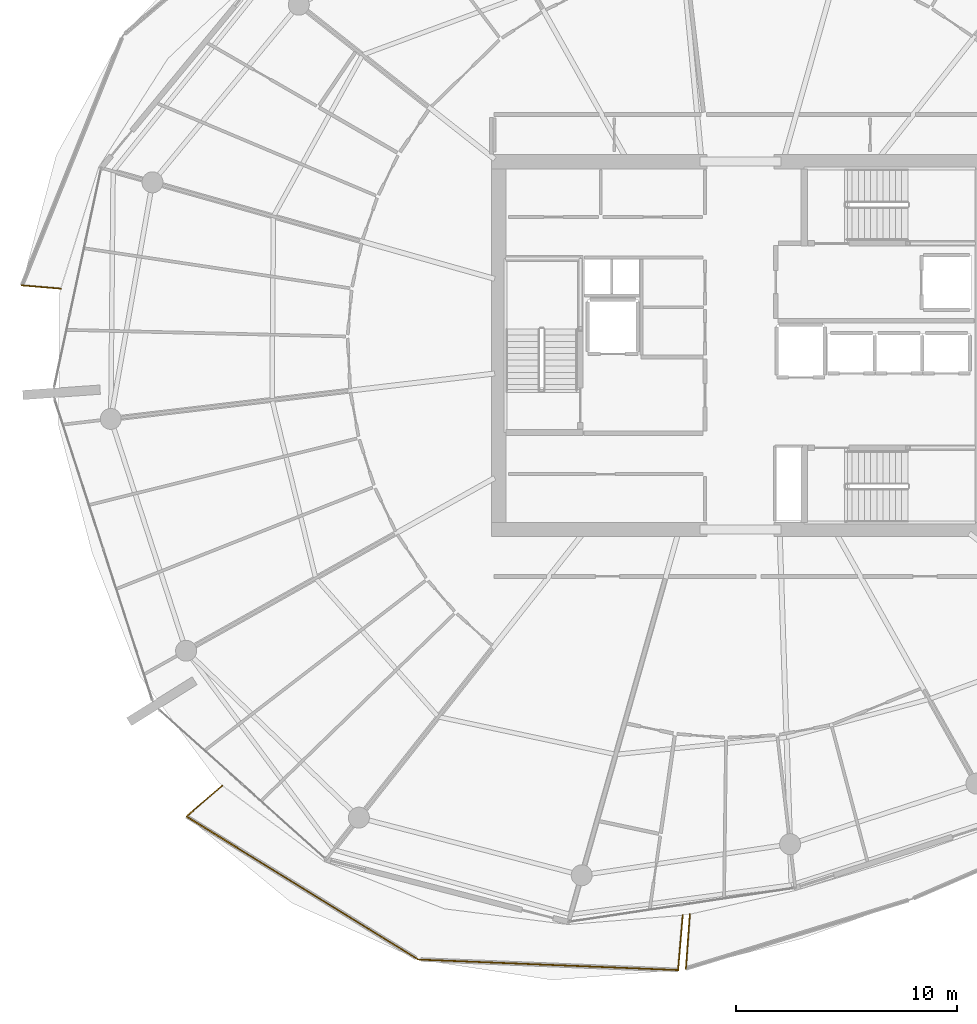
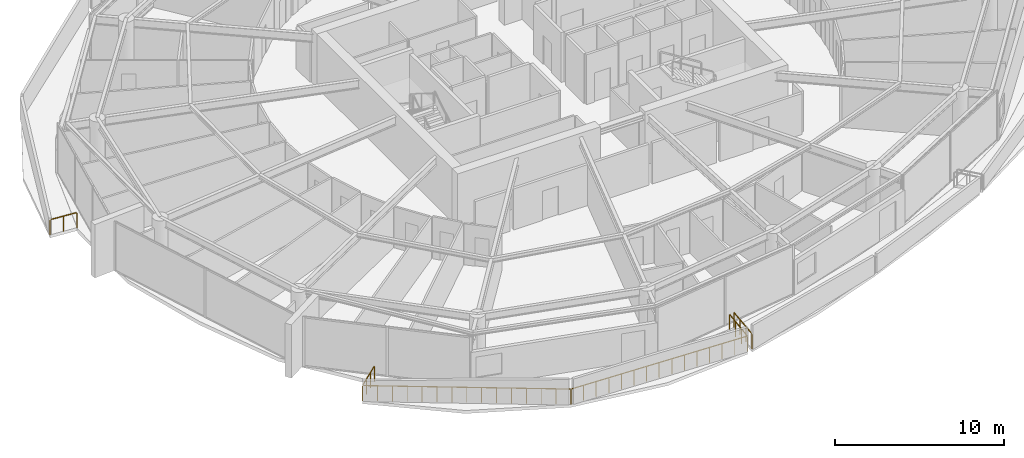
# One storey, part 25 of 31: 6 railings.
"""IFC4 building model written with IfcOpenShell, lengths in metres."""

import ifcopenshell
import ifcopenshell.guid

model = None  # the IFC model being written
_history = None  # IfcOwnerHistory: only IFC2X3 demands one
_inside = {}  # id of a spatial element -> (the spatial element, [elements in it])
_under = {}  # id of a project, library or spatial element -> (it, [spatial elements below it])
_declared = {}  # id of a project -> (the project, [libraries it declares])
_typed = {}  # id of a type object -> (the type object, [elements of that type])
_made_of = {}  # id of a material, layer set ... -> (it, [elements and type objects made of it])


def new_model(schema):
    """Start an empty IFC model of exactly this schema.

    Asked for "IFC4X3", IfcOpenShell would pick the latest addendum, in which some entities
    have other attributes; the version numbers below select the first issue.
    IFC2X3 requires an IfcOwnerHistory on every rooted entity: one is made here for all.
    """
    global model, _history
    if schema == "IFC4X3":
        model = ifcopenshell.file(schema_version=(4, 3, 0, 0))
    else:
        model = ifcopenshell.file(schema=schema)
    _inside.clear()
    _under.clear()
    _declared.clear()
    _typed.clear()
    _made_of.clear()
    _history = None
    if model.schema == "IFC2X3":
        org = make("IfcOrganization", Name="unknown")
        user = make(
            "IfcPersonAndOrganization",
            ThePerson=make("IfcPerson", FamilyName="unknown"),
            TheOrganization=org,
        )
        app = make(
            "IfcApplication",
            ApplicationDeveloper=org,
            Version="unknown",
            ApplicationFullName="unknown",
            ApplicationIdentifier="unknown",
        )
        _history = make(
            "IfcOwnerHistory",
            OwningUser=user,
            OwningApplication=app,
            ChangeAction="ADDED",
            CreationDate=0,
        )
    return model


def make(cls, **values):
    """One entity of the class cls with the attributes given. An attribute that is None is left unset."""
    return model.create_entity(
        cls, **{name: value for name, value in values.items() if value is not None}
    )


def rooted(cls, **values):
    """An entity with a GlobalId (a new one), such as an element, a storey or a relation."""
    return make(cls, GlobalId=ifcopenshell.guid.new(), OwnerHistory=_history, **values)


def si_unit(unit_type, name, prefix=None):
    """IfcSIUnit, for example si_unit("LENGTHUNIT", "METRE", prefix="MILLI")."""
    return make("IfcSIUnit", UnitType=unit_type, Prefix=prefix, Name=name)


def assignment(units):
    """IfcUnitAssignment: the units of a project."""
    return None if units is None else make("IfcUnitAssignment", Units=units)


def point(xyz):
    """IfcCartesianPoint."""
    return None if xyz is None else make("IfcCartesianPoint", Coordinates=xyz)


def direction(xyz):
    """IfcDirection."""
    return None if xyz is None else make("IfcDirection", DirectionRatios=xyz)


def frame(location, z_axis=None, x_axis=None):
    """IfcAxis2Placement3D, a coordinate frame: its origin and axes. An axis left out is left unset."""
    return make(
        "IfcAxis2Placement3D",
        Location=point(location),
        Axis=direction(z_axis),
        RefDirection=direction(x_axis),
    )


def frame_2d(location, x_axis=None):
    """IfcAxis2Placement2D, a coordinate frame in the plane: its origin and x axis."""
    return make(
        "IfcAxis2Placement2D", Location=point(location), RefDirection=direction(x_axis)
    )


def origin():
    """The frame at (0, 0, 0) with its axes left unset."""
    return frame((0.0, 0.0, 0.0))


def origin_2d():
    """The frame at (0, 0) in the plane with its x axis left unset."""
    return frame_2d((0.0, 0.0))


def place(relative_to, where):
    """IfcLocalPlacement: puts the frame where relative to a parent placement (None: the world)."""
    return make(
        "IfcLocalPlacement", PlacementRelTo=relative_to, RelativePlacement=where
    )


def context(
    kind, dimensions, precision=None, world=None, true_north=None, identifier=None
):
    """IfcGeometricRepresentationContext, for example the 3D "Model" context."""
    return make(
        "IfcGeometricRepresentationContext",
        ContextIdentifier=identifier,
        ContextType=kind,
        CoordinateSpaceDimension=dimensions,
        Precision=precision,
        WorldCoordinateSystem=world,
        TrueNorth=true_north,
    )


def subcontext(parent, identifier, kind, view, scale=None):
    """IfcGeometricRepresentationSubContext, for example "Body" below "Model"."""
    return make(
        "IfcGeometricRepresentationSubContext",
        ContextIdentifier=identifier,
        ContextType=kind,
        ParentContext=parent,
        TargetScale=scale,
        TargetView=view,
    )


def project(units=None, contexts=None):
    """IfcProject with its units and contexts."""
    return rooted(
        "IfcProject",
        Name="project",
        RepresentationContexts=contexts,
        UnitsInContext=assignment(units),
    )


def spatial(cls, under=None, at=None, **own):
    """A site, building, storey or space (cls), placed at a placement, below another one or the project."""
    s = rooted(cls, ObjectPlacement=at, **own)
    if under is not None:
        _under.setdefault(under.id(), (under, []))[1].append(s)
    return s


def profile(cls, at=None, kind="AREA", **sizes):
    """A parametric profile (cls). Its sizes go by their IFC names, for example OverallWidth=200.0."""
    return make(cls, ProfileType=kind, Position=at, **sizes)


def rectangle(**sizes):
    """IfcRectangleProfileDef."""
    return profile("IfcRectangleProfileDef", **sizes)


def extrude(swept, where, along, depth):
    """IfcExtrudedAreaSolid: the profile swept, set in the frame where, extruded along a direction by depth."""
    return make(
        "IfcExtrudedAreaSolid",
        SweptArea=swept,
        Position=where,
        ExtrudedDirection=direction(along),
        Depth=depth,
    )


def shape(context_of_items, identifier, shape_type, items):
    """IfcShapeRepresentation: the items that make up one representation, for example the "Body"."""
    return make(
        "IfcShapeRepresentation",
        ContextOfItems=context_of_items,
        RepresentationIdentifier=identifier,
        RepresentationType=shape_type,
        Items=items,
    )


def material(Name=None, Category=None):
    """IfcMaterial."""
    return make("IfcMaterial", Name=Name, Category=Category)


def made_of(thing, what):
    """Note that an element or type object is made of a material, layer set ...; save() writes the relation."""
    if what is not None:
        _made_of.setdefault(what.id(), (what, []))[1].append(thing)
    return thing


def type_object(cls, material=None, **own):
    """A type object (cls), such as IfcWallType, which elements share."""
    return made_of(rooted(cls, **own), material)


def element(
    cls,
    number,
    at=None,
    inside=None,
    cuts=None,
    type_object=None,
    material=None,
    context=None,
    identifier="Body",
    shape_type=None,
    held_by="IfcProductDefinitionShape",
    body=None,
    shapes=None,
    **own,
):
    """One element of the class cls, such as IfcWall. Its Tag is "e" and its number.

    at: its placement. inside: the storey or other place that contains it. cuts: it is an
    opening in that element (IfcRelVoidsElement). A single representation is given by context,
    identifier, shape_type and body (its items); several are given by shapes. held_by: the class
    of the entity that holds the representations. save() writes the other relations.
    """
    e = rooted(cls, Tag="e%d" % number, ObjectPlacement=at, **own)
    if body is not None:
        shapes = [shape(context, identifier, shape_type, body)]
    if shapes is not None:
        e.Representation = make(held_by, Representations=shapes)
    if inside is not None:
        _inside.setdefault(inside.id(), (inside, []))[1].append(e)
    if cuts is not None:
        rooted(
            "IfcRelVoidsElement", RelatingBuildingElement=cuts, RelatedOpeningElement=e
        )
    if type_object is not None:
        _typed.setdefault(type_object.id(), (type_object, []))[1].append(e)
    return made_of(e, material)


def aggregate(whole, parts):
    """IfcRelAggregates: a whole, such as a stair, and the parts it consists of."""
    return rooted("IfcRelAggregates", RelatingObject=whole, RelatedObjects=parts)


def save(model, path):
    """Write the relations noted so far, then the file.

    IfcRelAggregates (storeys below a building ...), IfcRelContainedInSpatialStructure (elements
    in a storey), IfcRelDefinesByType, IfcRelAssociatesMaterial and IfcRelDeclares: one each for
    every whole, place, type object, material and project.
    """
    for whole, parts in _under.values():
        aggregate(whole, parts)
    for where, things in _inside.values():
        rooted(
            "IfcRelContainedInSpatialStructure",
            RelatedElements=things,
            RelatingStructure=where,
        )
    for kind, things in _typed.values():
        rooted("IfcRelDefinesByType", RelatedObjects=things, RelatingType=kind)
    for what, things in _made_of.values():
        rooted("IfcRelAssociatesMaterial", RelatedObjects=things, RelatingMaterial=what)
    for by, libraries in _declared.values():
        rooted("IfcRelDeclares", RelatingContext=by, RelatedDefinitions=libraries)
    model.write(path)


model = new_model("IFC4")

# Units and contexts
model_context = context("Model", 3, precision=1e-05, world=origin(), true_north=direction((0.0, 1.0)))
body_context = subcontext(model_context, "Body", "Model", "MODEL_VIEW")
ifc_project = project(units=[si_unit("LENGTHUNIT", "METRE"), si_unit("AREAUNIT", "SQUARE_METRE"), si_unit("VOLUMEUNIT", "CUBIC_METRE"), si_unit("PLANEANGLEUNIT", "RADIAN"), si_unit("MASSUNIT", "GRAM", prefix="KILO")], contexts=[model_context])

# Site, building, storey
site_placement = place(None, origin())
site = spatial("IfcSite", under=ifc_project, at=site_placement, CompositionType="ELEMENT")
building_placement = place(site_placement, origin())
building = spatial("IfcBuilding", under=site, at=building_placement, Name="Kazma Halo Residences", CompositionType="ELEMENT")
storey_placement = place(building_placement, frame((0.0, 0.0, 271.35009765625)))
storey = spatial("IfcBuildingStorey", under=building, at=storey_placement, Name="L68", CompositionType="ELEMENT", Elevation=271.35009765625)

# Railings
ifc_material = material(Name="Aluminium AW-6063 T6 Brushed Cap Rail", Category="aluminium")
railing_type = type_object("IfcRailingType", Name="RLG-BAL-CAP-1120", PredefinedType="BALUSTRADE", material=ifc_material)
railing_1_placement = place(storey_placement, frame((15.89599609375, 44.72412109375, 0.0)))
element("IfcRailing", 1, at=railing_1_placement, inside=storey, type_object=railing_type, Name="L68 NW wave balcony guard 4", PredefinedType="BALUSTRADE", context=body_context, shape_type="SweptSolid", body=[
    extrude(rectangle(XDim=0.050048828125, YDim=0.050048828125, at=origin_2d()), frame((0.04248046875, -0.003662109375, 1.09521484375), z_axis=(0.996414445327, -0.084606460419, 0.0), x_axis=(0.084606460419, 0.996414445327, 0.0)), (0.0, 0.0, 1.0), 1.675048828125),
    extrude(rectangle(XDim=0.0400390625, YDim=0.0400390625, at=origin_2d()), origin(), (0.0, 0.0, 1.0), 1.05810546875),
    extrude(rectangle(XDim=0.0400390625, YDim=0.0400390625, at=origin_2d()), frame((0.876953125, -0.074462890625, 0.0)), (0.0, 0.0, 1.0), 1.05810546875),
    extrude(rectangle(XDim=0.0400390625, YDim=0.0400390625, at=origin_2d()), frame((1.75390625, -0.14892578125, 0.0)), (0.0, 0.0, 1.0), 1.05810546875),
])
railing_2_placement = place(storey_placement, frame((24.9599609375, 22.0771484375, 0.0)))
element("IfcRailing", 2, at=railing_2_placement, inside=storey, type_object=railing_type, Name="L68 SW wave balcony guard 1", PredefinedType="BALUSTRADE", context=body_context, shape_type="SweptSolid", body=[
    extrude(rectangle(XDim=0.050048828125, YDim=0.050048828125, at=origin_2d()), frame((-0.0322265625, -0.02783203125, 1.09521484375), z_axis=(-0.756418334569, -0.654088146299, 0.0), x_axis=(0.654088146299, -0.756418334569, 0.0)), (0.0, 0.0, 1.0), 2.04541015625),
    extrude(rectangle(XDim=0.0400390625, YDim=0.0400390625, at=origin_2d()), origin(), (0.0, 0.0, 1.0), 1.05810546875),
    extrude(rectangle(XDim=0.0400390625, YDim=0.0400390625, at=origin_2d()), frame((-0.537109375, -0.464599609375, 0.0)), (0.0, 0.0, 1.0), 1.05810546875),
    extrude(rectangle(XDim=0.0400390625, YDim=0.0400390625, at=origin_2d()), frame((-1.074462890625, -0.928955078125, 0.0)), (0.0, 0.0, 1.0), 1.05810546875),
    extrude(rectangle(XDim=0.0400390625, YDim=0.0400390625, at=origin_2d()), frame((-1.611572265625, -1.3935546875, 0.0)), (0.0, 0.0, 1.0), 1.05810546875),
])
railing_3_placement = place(storey_placement, frame((23.348388671875, 20.68359375, 0.0)))
element("IfcRailing", 3, at=railing_3_placement, inside=storey, type_object=railing_type, Name="L68 SW wave balcony guard 2", PredefinedType="BALUSTRADE", context=body_context, shape_type="SweptSolid", body=[
    extrude(rectangle(XDim=0.050048828125, YDim=0.050048828125, at=origin_2d()), frame((0.0361328125, -0.0224609375, 1.09521484375), z_axis=(0.85090135907, -0.525325496367, 0.0), x_axis=(0.525325496367, 0.85090135907, 0.0)), (0.0, 0.0, 1.0), 12.24365234375),
    extrude(rectangle(XDim=0.0400390625, YDim=0.0400390625, at=origin_2d()), origin(), (0.0, 0.0, 1.0), 1.05810546875),
    extrude(rectangle(XDim=0.0400390625, YDim=0.0400390625, at=origin_2d()), frame((0.749267578125, -0.462646484375, 0.0)), (0.0, 0.0, 1.0), 1.05810546875),
    extrude(rectangle(XDim=0.0400390625, YDim=0.0400390625, at=origin_2d()), frame((1.49853515625, -0.92529296875, 0.0)), (0.0, 0.0, 1.0), 1.05810546875),
    extrude(rectangle(XDim=0.0400390625, YDim=0.0400390625, at=origin_2d()), frame((2.248046875, -1.387939453125, 0.0)), (0.0, 0.0, 1.0), 1.05810546875),
    extrude(rectangle(XDim=0.0400390625, YDim=0.0400390625, at=origin_2d()), frame((2.997314453125, -1.850341796875, 0.0)), (0.0, 0.0, 1.0), 1.05810546875),
    extrude(rectangle(XDim=0.0400390625, YDim=0.0400390625, at=origin_2d()), frame((3.74658203125, -2.31298828125, 0.0)), (0.0, 0.0, 1.0), 1.05810546875),
    extrude(rectangle(XDim=0.0400390625, YDim=0.0400390625, at=origin_2d()), frame((4.495849609375, -2.775634765625, 0.0)), (0.0, 0.0, 1.0), 1.05810546875),
    extrude(rectangle(XDim=0.0400390625, YDim=0.0400390625, at=origin_2d()), frame((5.2451171875, -3.23828125, 0.0)), (0.0, 0.0, 1.0), 1.05810546875),
    extrude(rectangle(XDim=0.0400390625, YDim=0.0400390625, at=origin_2d()), frame((5.99462890625, -3.700927734375, 0.0)), (0.0, 0.0, 1.0), 1.05810546875),
    extrude(rectangle(XDim=0.0400390625, YDim=0.0400390625, at=origin_2d()), frame((6.743896484375, -4.16357421875, 0.0)), (0.0, 0.0, 1.0), 1.05810546875),
    extrude(rectangle(XDim=0.0400390625, YDim=0.0400390625, at=origin_2d()), frame((7.4931640625, -4.626220703125, 0.0)), (0.0, 0.0, 1.0), 1.05810546875),
    extrude(rectangle(XDim=0.0400390625, YDim=0.0400390625, at=origin_2d()), frame((8.242431640625, -5.088623046875, 0.0)), (0.0, 0.0, 1.0), 1.05810546875),
    extrude(rectangle(XDim=0.0400390625, YDim=0.0400390625, at=origin_2d()), frame((8.991943359375, -5.55126953125, 0.0)), (0.0, 0.0, 1.0), 1.05810546875),
    extrude(rectangle(XDim=0.0400390625, YDim=0.0400390625, at=origin_2d()), frame((9.7412109375, -6.013916015625, 0.0)), (0.0, 0.0, 1.0), 1.05810546875),
    extrude(rectangle(XDim=0.0400390625, YDim=0.0400390625, at=origin_2d()), frame((10.490478515625, -6.4765625, 0.0)), (0.0, 0.0, 1.0), 1.05810546875),
])
railing_4_placement = place(storey_placement, frame((33.8388671875, 14.20703125, 0.0)))
element("IfcRailing", 4, at=railing_4_placement, inside=storey, type_object=railing_type, Name="L68 SW wave balcony guard 3", PredefinedType="BALUSTRADE", context=body_context, shape_type="SweptSolid", body=[
    extrude(rectangle(XDim=0.050048828125, YDim=0.050048828125, at=origin_2d()), frame((0.04248046875, -0.001708984375, 1.09521484375), z_axis=(0.999178574478, -0.04052377456, 0.0), x_axis=(0.04052377456, 0.999178574478, 0.0)), (0.0, 0.0, 1.0), 11.68701171875),
    extrude(rectangle(XDim=0.0400390625, YDim=0.0400390625, at=origin_2d()), origin(), (0.0, 0.0, 1.0), 1.05810546875),
    extrude(rectangle(XDim=0.0400390625, YDim=0.0400390625, at=origin_2d()), frame((0.840087890625, -0.0341796875, 0.0)), (0.0, 0.0, 1.0), 1.05810546875),
    extrude(rectangle(XDim=0.0400390625, YDim=0.0400390625, at=origin_2d()), frame((1.680419921875, -0.068115234375, 0.0)), (0.0, 0.0, 1.0), 1.05810546875),
    extrude(rectangle(XDim=0.0400390625, YDim=0.0400390625, at=origin_2d()), frame((2.5205078125, -0.102294921875, 0.0)), (0.0, 0.0, 1.0), 1.05810546875),
    extrude(rectangle(XDim=0.0400390625, YDim=0.0400390625, at=origin_2d()), frame((3.360595703125, -0.13623046875, 0.0)), (0.0, 0.0, 1.0), 1.05810546875),
    extrude(rectangle(XDim=0.0400390625, YDim=0.0400390625, at=origin_2d()), frame((4.200927734375, -0.17041015625, 0.0)), (0.0, 0.0, 1.0), 1.05810546875),
    extrude(rectangle(XDim=0.0400390625, YDim=0.0400390625, at=origin_2d()), frame((5.041015625, -0.204345703125, 0.0)), (0.0, 0.0, 1.0), 1.05810546875),
    extrude(rectangle(XDim=0.0400390625, YDim=0.0400390625, at=origin_2d()), frame((5.88134765625, -0.238525390625, 0.0)), (0.0, 0.0, 1.0), 1.05810546875),
    extrude(rectangle(XDim=0.0400390625, YDim=0.0400390625, at=origin_2d()), frame((6.721435546875, -0.272705078125, 0.0)), (0.0, 0.0, 1.0), 1.05810546875),
    extrude(rectangle(XDim=0.0400390625, YDim=0.0400390625, at=origin_2d()), frame((7.5615234375, -0.306640625, 0.0)), (0.0, 0.0, 1.0), 1.05810546875),
    extrude(rectangle(XDim=0.0400390625, YDim=0.0400390625, at=origin_2d()), frame((8.40185546875, -0.3408203125, 0.0)), (0.0, 0.0, 1.0), 1.05810546875),
    extrude(rectangle(XDim=0.0400390625, YDim=0.0400390625, at=origin_2d()), frame((9.241943359375, -0.374755859375, 0.0)), (0.0, 0.0, 1.0), 1.05810546875),
    extrude(rectangle(XDim=0.0400390625, YDim=0.0400390625, at=origin_2d()), frame((10.08203125, -0.408935546875, 0.0)), (0.0, 0.0, 1.0), 1.05810546875),
    extrude(rectangle(XDim=0.0400390625, YDim=0.0400390625, at=origin_2d()), frame((10.92236328125, -0.44287109375, 0.0)), (0.0, 0.0, 1.0), 1.05810546875),
    extrude(rectangle(XDim=0.0400390625, YDim=0.0400390625, at=origin_2d()), frame((11.762451171875, -0.47705078125, 0.0)), (0.0, 0.0, 1.0), 1.05810546875),
])
railing_5_placement = place(storey_placement, frame((45.601318359375, 13.72998046875, 0.0)))
element("IfcRailing", 5, at=railing_5_placement, inside=storey, type_object=railing_type, Name="L68 SW wave balcony guard 4", PredefinedType="BALUSTRADE", context=body_context, shape_type="SweptSolid", body=[
    extrude(rectangle(XDim=0.050048828125, YDim=0.050048828125, at=origin_2d()), frame((0.003662109375, 0.04248046875, 1.09521484375), z_axis=(0.084500948915, 0.996423398778, 0.0), x_axis=(-0.996423398778, 0.084500948915, 0.0)), (0.0, 0.0, 1.0), 2.399658203125),
    extrude(rectangle(XDim=0.0400390625, YDim=0.0400390625, at=origin_2d()), origin(), (0.0, 0.0, 1.0), 1.05810546875),
    extrude(rectangle(XDim=0.0400390625, YDim=0.0400390625, at=origin_2d()), frame((0.070068359375, 0.8251953125, 0.0)), (0.0, 0.0, 1.0), 1.05810546875),
    extrude(rectangle(XDim=0.0400390625, YDim=0.0400390625, at=origin_2d()), frame((0.139892578125, 1.650634765625, 0.0)), (0.0, 0.0, 1.0), 1.05810546875),
    extrude(rectangle(XDim=0.0400390625, YDim=0.0400390625, at=origin_2d()), frame((0.2099609375, 2.475830078125, 0.0)), (0.0, 0.0, 1.0), 1.05810546875),
])
railing_6_placement = place(storey_placement, frame((46.1318359375, 16.25390625, 0.0)))
element("IfcRailing", 6, at=railing_6_placement, inside=storey, type_object=railing_type, Name="L68 SSE wave balcony guard 1", PredefinedType="BALUSTRADE", context=body_context, shape_type="SweptSolid", body=[
    extrude(rectangle(XDim=0.050048828125, YDim=0.050048828125, at=origin_2d()), frame((-0.003173828125, -0.04248046875, 1.09521484375), z_axis=(-0.072365602414, -0.997378172805, 0.0), x_axis=(0.997378172805, -0.072365602414, 0.0)), (0.0, 0.0, 1.0), 2.381103515625),
    extrude(rectangle(XDim=0.0400390625, YDim=0.0400390625, at=origin_2d()), origin(), (0.0, 0.0, 1.0), 1.05810546875),
    extrude(rectangle(XDim=0.0400390625, YDim=0.0400390625, at=origin_2d()), frame((-0.0595703125, -0.81982421875, 0.0)), (0.0, 0.0, 1.0), 1.05810546875),
    extrude(rectangle(XDim=0.0400390625, YDim=0.0400390625, at=origin_2d()), frame((-0.118896484375, -1.639892578125, 0.0)), (0.0, 0.0, 1.0), 1.05810546875),
    extrude(rectangle(XDim=0.0400390625, YDim=0.0400390625, at=origin_2d()), frame((-0.178466796875, -2.459716796875, 0.0)), (0.0, 0.0, 1.0), 1.05810546875),
])

save(model, "model.ifc")
